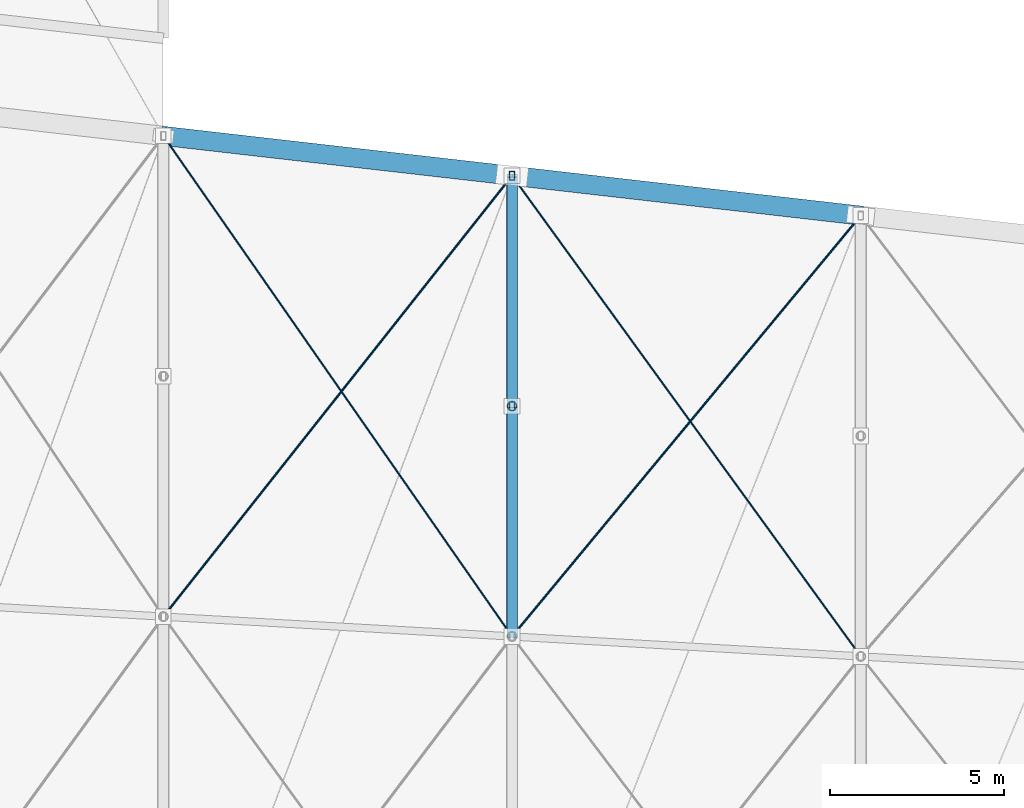
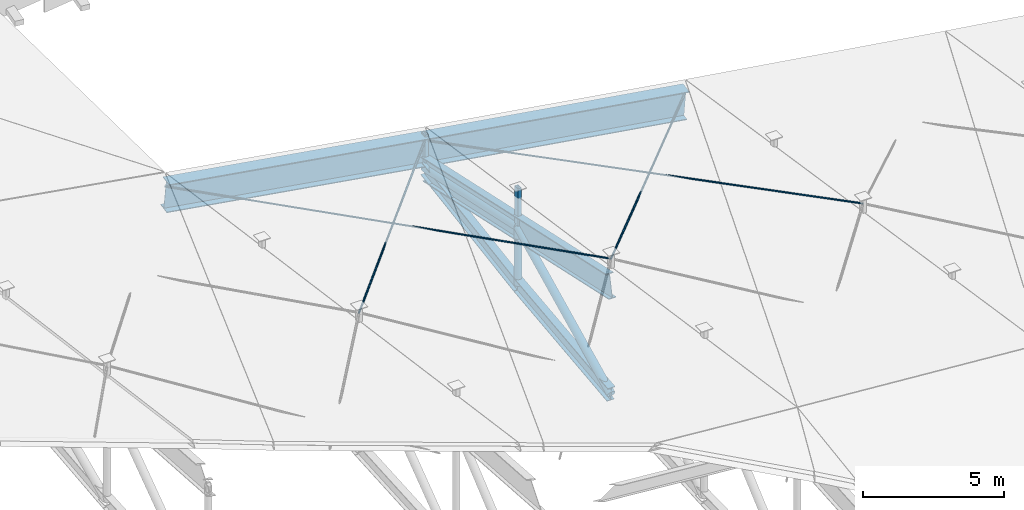
# One storey, part 37 of 68: 9 members, 6 beams.
"""IFC4 building model written with IfcOpenShell, lengths in metres."""

from ifc_helpers import new_model, si_unit, direction, frame, origin, origin_2d, place, context, subcontext, project, spatial, hollow_rectangle, circle, hollow_circle, i_section, extrude, material, material_profile, profile_set, type_object, element, save


model = new_model("IFC4")

# Units and contexts
model_context = context("Model", 3, precision=1e-05, world=origin(), true_north=direction((0.0, 1.0)))
body_context = subcontext(model_context, "Body", "Model", "MODEL_VIEW")
ifc_project = project(units=[si_unit("LENGTHUNIT", "METRE"), si_unit("AREAUNIT", "SQUARE_METRE"), si_unit("VOLUMEUNIT", "CUBIC_METRE"), si_unit("PLANEANGLEUNIT", "RADIAN"), si_unit("MASSUNIT", "GRAM", prefix="KILO")], contexts=[model_context])

# Site, building, storey
site_placement = place(None, origin())
site = spatial("IfcSite", under=ifc_project, at=site_placement, CompositionType="ELEMENT")
building_placement = place(site_placement, origin())
building = spatial("IfcBuilding", under=site, at=building_placement, Name="Sohan Crest Arena", CompositionType="ELEMENT")
storey_placement = place(building_placement, frame((0.0, 0.0, 27.0)))
storey = spatial("IfcBuildingStorey", under=building, at=storey_placement, Name="RF", CompositionType="ELEMENT", Elevation=27.0)

# Beams
ifc_material_1 = material(Name="Steel S355", Category="steel")
ifc_material_profile_1 = material_profile(ifc_material_1, i_section(OverallWidth=0.300048828125, OverallDepth=0.60009765625, WebThickness=0.015380859375, FlangeThickness=0.030029296875, at=origin_2d()), Name="HEB 600")
ifc_profile_set_1 = profile_set([ifc_material_profile_1], Name="Steel S355")
beam_type_1 = type_object("IfcBeamType", Name="STR-BM-B15", PredefinedType="BEAM", material=ifc_profile_set_1)
beam_1_placement = place(storey_placement, frame((138.0, 91.215087890625, -3.840087890625), z_axis=(0.0, 0.99361854144, 0.112792704135), x_axis=(-1.0, 0.0, 0.0)))
element("IfcBeam", 1, at=beam_1_placement, inside=storey, type_object=beam_type_1, Name="Structural beam RAB-RF-3093", PredefinedType="BEAM", context=body_context, shape_type="SweptSolid", body=[
    extrude(i_section(OverallWidth=0.300048828125, OverallDepth=0.60009765625, WebThickness=0.015380859375, FlangeThickness=0.030029296875, at=origin_2d()), origin(), (0.0, 0.0, 1.0), 6.6494140625),
])
beam_2_placement = place(storey_placement, frame((138.0, 97.822021484375, -3.090087890625), z_axis=(0.0, 0.987604746376, 0.156961348539), x_axis=(-1.0, 0.0, 0.0)))
element("IfcBeam", 2, at=beam_2_placement, inside=storey, type_object=beam_type_1, Name="Structural beam RAB-RF-3095", PredefinedType="BEAM", context=body_context, shape_type="SweptSolid", body=[
    extrude(i_section(OverallWidth=0.300048828125, OverallDepth=0.60009765625, WebThickness=0.015380859375, FlangeThickness=0.030029296875, at=origin_2d()), origin(), (0.0, 0.0, 1.0), 6.68994140625),
])
ifc_material_profile_2 = material_profile(ifc_material_1, i_section(OverallWidth=0.300048828125, OverallDepth=1.0, WebThickness=0.01904296875, FlangeThickness=0.035888671875, at=origin_2d()), Name="HEB 1000")
ifc_profile_set_2 = profile_set([ifc_material_profile_2], Name="Steel S355")
beam_type_2 = type_object("IfcBeamType", Name="STR-BM-B19", PredefinedType="BEAM", material=ifc_profile_set_2)
beam_3_placement = place(storey_placement, frame((138.0, 91.215087890625, 0.846923828125), z_axis=(0.0, 0.976973911091, -0.213358798853), x_axis=(-1.0, 0.0, 0.0)))
element("IfcBeam", 3, at=beam_3_placement, inside=storey, type_object=beam_type_2, Name="Structural beam RA-RF-3092", PredefinedType="BEAM", context=body_context, shape_type="SweptSolid", body=[
    extrude(i_section(OverallWidth=0.300048828125, OverallDepth=1.0, WebThickness=0.01904296875, FlangeThickness=0.035888671875, at=origin_2d()), origin(), (0.0, 0.0, 1.0), 6.7626953125),
])
beam_4_placement = place(storey_placement, frame((138.0, 97.822021484375, -0.595947265625), z_axis=(0.0, 0.976936271475, -0.213531078478), x_axis=(-1.0, 0.0, 0.0)))
element("IfcBeam", 4, at=beam_4_placement, inside=storey, type_object=beam_type_2, Name="Structural beam RA-RF-3094", PredefinedType="BEAM", context=body_context, shape_type="SweptSolid", body=[
    extrude(i_section(OverallWidth=0.300048828125, OverallDepth=1.0, WebThickness=0.01904296875, FlangeThickness=0.035888671875, at=origin_2d()), origin(), (0.0, 0.0, 1.0), 6.762939453125),
])
ifc_material_profile_3 = material_profile(ifc_material_1, i_section(OverallWidth=0.550048828125, OverallDepth=1.199951171875, WebThickness=0.02197265625, FlangeThickness=0.034912109375, at=origin_2d()), Name="PG 1200x550x22x35")
ifc_profile_set_3 = profile_set([ifc_material_profile_3], Name="Steel S355")
beam_type_3 = type_object("IfcBeamType", Name="STR-BM-RB01", PredefinedType="USERDEFINED", material=ifc_profile_set_3)
beam_5_placement = place(storey_placement, frame((148.0, 103.285888671875, -1.9970703125), z_axis=(-0.990657437197, 0.113238723656, 0.075992325871), x_axis=(-0.113567114035, -0.99353032697, 0.0)))
element("IfcBeam", 5, at=beam_5_placement, inside=storey, type_object=beam_type_3, Name="Rising compression ring beam segment RB-30", ObjectType="RING BEAM", PredefinedType="USERDEFINED", context=body_context, shape_type="SweptSolid", body=[
    extrude(i_section(OverallWidth=0.550048828125, OverallDepth=1.199951171875, WebThickness=0.02197265625, FlangeThickness=0.034912109375, at=origin_2d()), origin(), (0.0, 0.0, 1.0), 10.09423828125),
])
beam_6_placement = place(storey_placement, frame((138.0, 104.428955078125, -1.22998046875), z_axis=(-0.990284998801, 0.113099443955, 0.08089583999), x_axis=(-0.113471339378, -0.993541269973, 0.0)))
element("IfcBeam", 6, at=beam_6_placement, inside=storey, type_object=beam_type_3, Name="Rising compression ring beam segment RB-31", ObjectType="RING BEAM", PredefinedType="USERDEFINED", context=body_context, shape_type="SweptSolid", body=[
    extrude(i_section(OverallWidth=0.550048828125, OverallDepth=1.199951171875, WebThickness=0.02197265625, FlangeThickness=0.034912109375, at=origin_2d()), origin(), (0.0, 0.0, 1.0), 10.09814453125),
])

# Members
ifc_material_profile_4 = material_profile(ifc_material_1, hollow_circle(Radius=0.136474609375, WallThickness=0.012451171875, at=origin_2d()), Name="CHS 273x12.5")
ifc_profile_set_4 = profile_set([ifc_material_profile_4], Name="Steel S355")
member_type_1 = type_object("IfcMemberType", Name="STR-MEM-BR02", PredefinedType="BRACE", material=ifc_profile_set_4)
member_1_placement = place(storey_placement, frame((138.0, 97.822021484375, -3.090087890625), z_axis=(0.0, 0.0, 1.0), x_axis=(1.0, 0.0, 0.0)))
element("IfcMember", 7, at=member_1_placement, inside=storey, type_object=member_type_1, Name="Lenticular roof truss web strut TW-179", PredefinedType="BRACE", context=body_context, shape_type="SweptSolid", body=[
    extrude(hollow_circle(Radius=0.136474609375, WallThickness=0.012451171875, at=origin_2d()), origin(), (0.0, 0.0, 1.0), 2.494140625),
])
ifc_material_profile_5 = material_profile(ifc_material_1, hollow_circle(Radius=0.161865234375, WallThickness=0.012451171875, at=origin_2d()), Name="CHS 323.9x12.5")
ifc_profile_set_5 = profile_set([ifc_material_profile_5], Name="Steel S355")
member_type_2 = type_object("IfcMemberType", Name="STR-MEM-BR03", PredefinedType="BRACE", material=ifc_profile_set_5)
member_2_placement = place(storey_placement, frame((138.0, 91.215087890625, -3.840087890625), z_axis=(0.0, 0.897628005213, 0.440753859038), x_axis=(-1.0, 0.0, 0.0)))
element("IfcMember", 8, at=member_2_placement, inside=storey, type_object=member_type_2, Name="Lenticular roof truss web diagonal TD-178", PredefinedType="BRACE", context=body_context, shape_type="SweptSolid", body=[
    extrude(hollow_circle(Radius=0.161865234375, WallThickness=0.012451171875, at=origin_2d()), origin(), (0.0, 0.0, 1.0), 7.3603515625),
])
member_3_placement = place(storey_placement, frame((138.0, 104.428955078125, -2.0400390625), z_axis=(0.0, -0.976936271475, 0.213531078478), x_axis=(1.0, 0.0, 0.0)))
element("IfcMember", 9, at=member_3_placement, inside=storey, type_object=member_type_2, Name="Lenticular roof truss web diagonal TD-180", PredefinedType="BRACE", context=body_context, shape_type="SweptSolid", body=[
    extrude(hollow_circle(Radius=0.161865234375, WallThickness=0.012451171875, at=origin_2d()), origin(), (0.0, 0.0, 1.0), 6.762939453125),
])
ifc_material_2 = material(Name="Steel S460", Category="steel")
ifc_material_profile_6 = material_profile(ifc_material_2, circle(Radius=0.031982421875, at=origin_2d()), Name="FLC D64")
ifc_profile_set_6 = profile_set([ifc_material_profile_6], Name="Steel S460")
member_type_3 = type_object("IfcMemberType", Name="STR-MEM-CB01", PredefinedType="USERDEFINED", material=ifc_profile_set_6)
member_4_placement = place(storey_placement, frame((128.0, 91.784912109375, 2.844970703125), z_axis=(0.604564175371, 0.764413541076, -0.223995750133), x_axis=(-0.784343617503, 0.620326599206, 0.0)))
element("IfcMember", 10, at=member_4_placement, inside=storey, type_object=member_type_3, Name="Full-locked-coil roof cable CB-031", ObjectType="CABLE", PredefinedType="USERDEFINED", context=body_context, shape_type="SweptSolid", body=[
    extrude(circle(Radius=0.031982421875, at=origin_2d()), origin(), (0.0, 0.0, 1.0), 16.540771484375),
])
member_5_placement = place(storey_placement, frame((138.0, 91.215087890625, 2.027099609375), z_axis=(0.621302202597, 0.74996151125, -0.227027101227), x_axis=(-0.770069219182, 0.637960341768, 0.0)))
element("IfcMember", 11, at=member_5_placement, inside=storey, type_object=member_type_3, Name="Full-locked-coil roof cable CB-039", ObjectType="CABLE", PredefinedType="USERDEFINED", context=body_context, shape_type="SweptSolid", body=[
    extrude(circle(Radius=0.031982421875, at=origin_2d()), origin(), (0.0, 0.0, 1.0), 16.09521484375),
])
ifc_material_profile_7 = material_profile(ifc_material_2, circle(Radius=0.02587890625, at=origin_2d()), Name="FLC D52")
ifc_profile_set_7 = profile_set([ifc_material_profile_7], Name="Steel S460")
member_type_4 = type_object("IfcMemberType", Name="STR-MEM-CB02", PredefinedType="USERDEFINED", material=ifc_profile_set_7)
member_6_placement = place(storey_placement, frame((128.0, 105.571044921875, -0.04296875), z_axis=(0.567615250463, -0.814866014594, 0.117500237028), x_axis=(0.820550084438, 0.571574631111, 0.0)))
element("IfcMember", 12, at=member_6_placement, inside=storey, type_object=member_type_4, Name="Full-locked-coil roof cable CB-032", ObjectType="CABLE", PredefinedType="USERDEFINED", context=body_context, shape_type="SweptSolid", body=[
    extrude(circle(Radius=0.02587890625, at=origin_2d()), origin(), (0.0, 0.0, 1.0), 17.61767578125),
])
member_7_placement = place(storey_placement, frame((138.0, 104.428955078125, -0.860107421875), z_axis=(0.582667318712, -0.803258678851, 0.123589200805), x_axis=(0.809464465, 0.587168868302, 0.0)))
element("IfcMember", 13, at=member_7_placement, inside=storey, type_object=member_type_4, Name="Full-locked-coil roof cable CB-040", ObjectType="CABLE", PredefinedType="USERDEFINED", context=body_context, shape_type="SweptSolid", body=[
    extrude(circle(Radius=0.02587890625, at=origin_2d()), origin(), (0.0, 0.0, 1.0), 17.162353515625),
])
ifc_material_profile_8 = material_profile(ifc_material_1, hollow_rectangle(XDim=0.14990234375, YDim=0.25, WallThickness=0.010009765625, at=origin_2d()), Name="RHS 250x150x10")
ifc_profile_set_8 = profile_set([ifc_material_profile_8], Name="Steel S355")
member_type_5 = type_object("IfcMemberType", Name="STR-MEM-CH02", PredefinedType="CHORD", material=ifc_profile_set_8)
member_8_placement = place(storey_placement, frame((138.0, 97.822021484375, -0.595947265625), z_axis=(0.0, 0.0, 1.0), x_axis=(1.0, 0.0, 0.0)))
element("IfcMember", 14, at=member_8_placement, inside=storey, type_object=member_type_5, Name="Roof deck bearing saddle chord RSP-164", PredefinedType="CHORD", context=body_context, shape_type="SweptSolid", body=[
    extrude(hollow_rectangle(XDim=0.14990234375, YDim=0.25, WallThickness=0.010009765625, at=origin_2d()), origin(), (0.0, 0.0, 1.0), 1.72998046875),
])
member_9_placement = place(storey_placement, frame((138.0, 104.428955078125, -2.0400390625), z_axis=(0.0, 0.0, 1.0), x_axis=(1.0, 0.0, 0.0)))
element("IfcMember", 15, at=member_9_placement, inside=storey, type_object=member_type_5, Name="Roof deck bearing saddle chord RSP-165", PredefinedType="CHORD", context=body_context, shape_type="SweptSolid", body=[
    extrude(hollow_rectangle(XDim=0.14990234375, YDim=0.25, WallThickness=0.010009765625, at=origin_2d()), origin(), (0.0, 0.0, 1.0), 1.489990234375),
])

save(model, "model.ifc")
